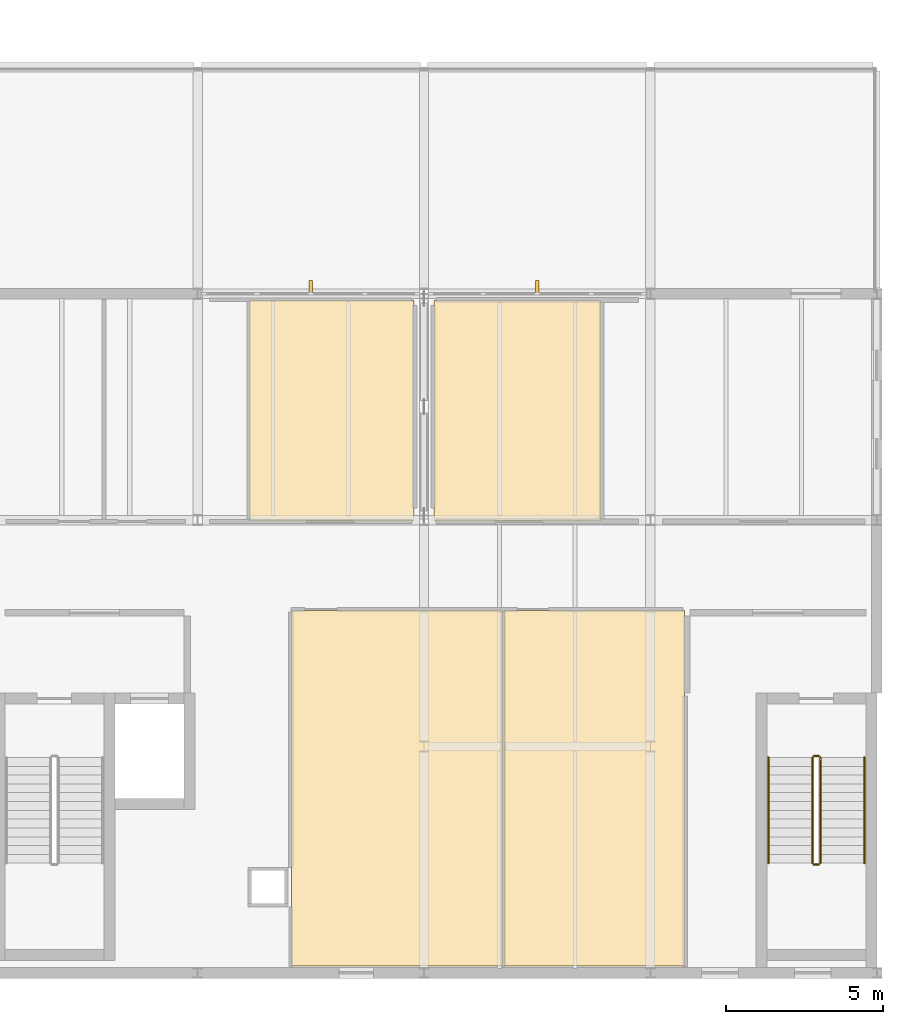
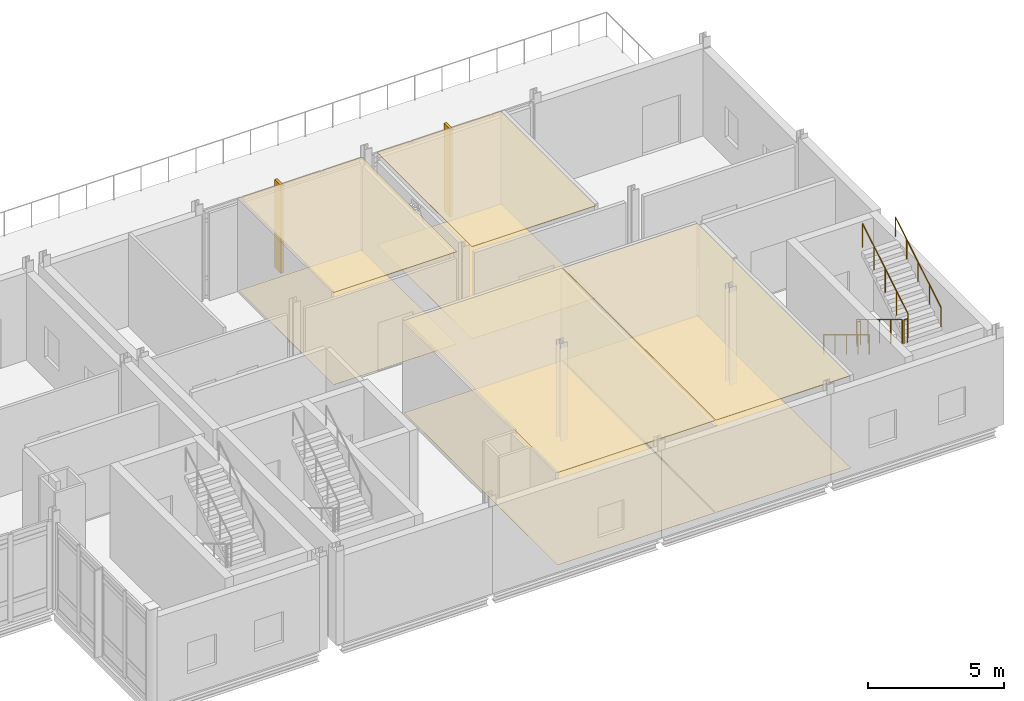
# One storey, part 49 of 53: 8 coverings, 6 railings, 2 shading devices.
"""IFC4 building model written with IfcOpenShell, lengths in metres."""

import ifcopenshell
import ifcopenshell.guid

model = None  # the IFC model being written
_history = None  # IfcOwnerHistory: only IFC2X3 demands one
_inside = {}  # id of a spatial element -> (the spatial element, [elements in it])
_under = {}  # id of a project, library or spatial element -> (it, [spatial elements below it])
_declared = {}  # id of a project -> (the project, [libraries it declares])
_typed = {}  # id of a type object -> (the type object, [elements of that type])
_made_of = {}  # id of a material, layer set ... -> (it, [elements and type objects made of it])


def new_model(schema):
    """Start an empty IFC model of exactly this schema.

    Asked for "IFC4X3", IfcOpenShell would pick the latest addendum, in which some entities
    have other attributes; the version numbers below select the first issue.
    IFC2X3 requires an IfcOwnerHistory on every rooted entity: one is made here for all.
    """
    global model, _history
    if schema == "IFC4X3":
        model = ifcopenshell.file(schema_version=(4, 3, 0, 0))
    else:
        model = ifcopenshell.file(schema=schema)
    _inside.clear()
    _under.clear()
    _declared.clear()
    _typed.clear()
    _made_of.clear()
    _history = None
    if model.schema == "IFC2X3":
        org = make("IfcOrganization", Name="unknown")
        user = make(
            "IfcPersonAndOrganization",
            ThePerson=make("IfcPerson", FamilyName="unknown"),
            TheOrganization=org,
        )
        app = make(
            "IfcApplication",
            ApplicationDeveloper=org,
            Version="unknown",
            ApplicationFullName="unknown",
            ApplicationIdentifier="unknown",
        )
        _history = make(
            "IfcOwnerHistory",
            OwningUser=user,
            OwningApplication=app,
            ChangeAction="ADDED",
            CreationDate=0,
        )
    return model


def make(cls, **values):
    """One entity of the class cls with the attributes given. An attribute that is None is left unset."""
    return model.create_entity(
        cls, **{name: value for name, value in values.items() if value is not None}
    )


def rooted(cls, **values):
    """An entity with a GlobalId (a new one), such as an element, a storey or a relation."""
    return make(cls, GlobalId=ifcopenshell.guid.new(), OwnerHistory=_history, **values)


def si_unit(unit_type, name, prefix=None):
    """IfcSIUnit, for example si_unit("LENGTHUNIT", "METRE", prefix="MILLI")."""
    return make("IfcSIUnit", UnitType=unit_type, Prefix=prefix, Name=name)


def assignment(units):
    """IfcUnitAssignment: the units of a project."""
    return None if units is None else make("IfcUnitAssignment", Units=units)


def point(xyz):
    """IfcCartesianPoint."""
    return None if xyz is None else make("IfcCartesianPoint", Coordinates=xyz)


def direction(xyz):
    """IfcDirection."""
    return None if xyz is None else make("IfcDirection", DirectionRatios=xyz)


def frame(location, z_axis=None, x_axis=None):
    """IfcAxis2Placement3D, a coordinate frame: its origin and axes. An axis left out is left unset."""
    return make(
        "IfcAxis2Placement3D",
        Location=point(location),
        Axis=direction(z_axis),
        RefDirection=direction(x_axis),
    )


def frame_2d(location, x_axis=None):
    """IfcAxis2Placement2D, a coordinate frame in the plane: its origin and x axis."""
    return make(
        "IfcAxis2Placement2D", Location=point(location), RefDirection=direction(x_axis)
    )


def origin():
    """The frame at (0, 0, 0) with its axes left unset."""
    return frame((0.0, 0.0, 0.0))


def origin_2d():
    """The frame at (0, 0) in the plane with its x axis left unset."""
    return frame_2d((0.0, 0.0))


def place(relative_to, where):
    """IfcLocalPlacement: puts the frame where relative to a parent placement (None: the world)."""
    return make(
        "IfcLocalPlacement", PlacementRelTo=relative_to, RelativePlacement=where
    )


def context(
    kind, dimensions, precision=None, world=None, true_north=None, identifier=None
):
    """IfcGeometricRepresentationContext, for example the 3D "Model" context."""
    return make(
        "IfcGeometricRepresentationContext",
        ContextIdentifier=identifier,
        ContextType=kind,
        CoordinateSpaceDimension=dimensions,
        Precision=precision,
        WorldCoordinateSystem=world,
        TrueNorth=true_north,
    )


def subcontext(parent, identifier, kind, view, scale=None):
    """IfcGeometricRepresentationSubContext, for example "Body" below "Model"."""
    return make(
        "IfcGeometricRepresentationSubContext",
        ContextIdentifier=identifier,
        ContextType=kind,
        ParentContext=parent,
        TargetScale=scale,
        TargetView=view,
    )


def project(units=None, contexts=None):
    """IfcProject with its units and contexts."""
    return rooted(
        "IfcProject",
        Name="project",
        RepresentationContexts=contexts,
        UnitsInContext=assignment(units),
    )


def spatial(cls, under=None, at=None, **own):
    """A site, building, storey or space (cls), placed at a placement, below another one or the project."""
    s = rooted(cls, ObjectPlacement=at, **own)
    if under is not None:
        _under.setdefault(under.id(), (under, []))[1].append(s)
    return s


def polyline(points):
    """IfcPolyline through the points."""
    return make("IfcPolyline", Points=[point(p) for p in points])


def profile(cls, at=None, kind="AREA", **sizes):
    """A parametric profile (cls). Its sizes go by their IFC names, for example OverallWidth=200.0."""
    return make(cls, ProfileType=kind, Position=at, **sizes)


def rectangle(**sizes):
    """IfcRectangleProfileDef."""
    return profile("IfcRectangleProfileDef", **sizes)


def circle(**sizes):
    """IfcCircleProfileDef."""
    return profile("IfcCircleProfileDef", **sizes)


def outline(outer, holes=None, kind="AREA"):
    """IfcArbitraryClosedProfileDef: a profile drawn as a closed curve; with holes, ...WithVoids."""
    if holes is None:
        return make("IfcArbitraryClosedProfileDef", ProfileType=kind, OuterCurve=outer)
    return make(
        "IfcArbitraryProfileDefWithVoids",
        ProfileType=kind,
        OuterCurve=outer,
        InnerCurves=holes,
    )


def extrude(swept, where, along, depth):
    """IfcExtrudedAreaSolid: the profile swept, set in the frame where, extruded along a direction by depth."""
    return make(
        "IfcExtrudedAreaSolid",
        SweptArea=swept,
        Position=where,
        ExtrudedDirection=direction(along),
        Depth=depth,
    )


def shape(context_of_items, identifier, shape_type, items):
    """IfcShapeRepresentation: the items that make up one representation, for example the "Body"."""
    return make(
        "IfcShapeRepresentation",
        ContextOfItems=context_of_items,
        RepresentationIdentifier=identifier,
        RepresentationType=shape_type,
        Items=items,
    )


def material(Name=None, Category=None):
    """IfcMaterial."""
    return make("IfcMaterial", Name=Name, Category=Category)


def layer(
    of_material, thickness, ventilated=None, Name=None, Category=None, Priority=None
):
    """IfcMaterialLayer: one layer of a wall or slab, of a material (None: an air gap)."""
    return make(
        "IfcMaterialLayer",
        Material=of_material,
        LayerThickness=thickness,
        IsVentilated=ventilated,
        Name=Name,
        Category=Category,
        Priority=Priority,
    )


def layer_set(layers, Name=None):
    """IfcMaterialLayerSet."""
    return make("IfcMaterialLayerSet", MaterialLayers=layers, LayerSetName=Name)


def made_of(thing, what):
    """Note that an element or type object is made of a material, layer set ...; save() writes the relation."""
    if what is not None:
        _made_of.setdefault(what.id(), (what, []))[1].append(thing)
    return thing


def type_object(cls, material=None, **own):
    """A type object (cls), such as IfcWallType, which elements share."""
    return made_of(rooted(cls, **own), material)


def element(
    cls,
    number,
    at=None,
    inside=None,
    cuts=None,
    type_object=None,
    material=None,
    context=None,
    identifier="Body",
    shape_type=None,
    held_by="IfcProductDefinitionShape",
    body=None,
    shapes=None,
    **own,
):
    """One element of the class cls, such as IfcWall. Its Tag is "e" and its number.

    at: its placement. inside: the storey or other place that contains it. cuts: it is an
    opening in that element (IfcRelVoidsElement). A single representation is given by context,
    identifier, shape_type and body (its items); several are given by shapes. held_by: the class
    of the entity that holds the representations. save() writes the other relations.
    """
    e = rooted(cls, Tag="e%d" % number, ObjectPlacement=at, **own)
    if body is not None:
        shapes = [shape(context, identifier, shape_type, body)]
    if shapes is not None:
        e.Representation = make(held_by, Representations=shapes)
    if inside is not None:
        _inside.setdefault(inside.id(), (inside, []))[1].append(e)
    if cuts is not None:
        rooted(
            "IfcRelVoidsElement", RelatingBuildingElement=cuts, RelatedOpeningElement=e
        )
    if type_object is not None:
        _typed.setdefault(type_object.id(), (type_object, []))[1].append(e)
    return made_of(e, material)


def aggregate(whole, parts):
    """IfcRelAggregates: a whole, such as a stair, and the parts it consists of."""
    return rooted("IfcRelAggregates", RelatingObject=whole, RelatedObjects=parts)


def save(model, path):
    """Write the relations noted so far, then the file.

    IfcRelAggregates (storeys below a building ...), IfcRelContainedInSpatialStructure (elements
    in a storey), IfcRelDefinesByType, IfcRelAssociatesMaterial and IfcRelDeclares: one each for
    every whole, place, type object, material and project.
    """
    for whole, parts in _under.values():
        aggregate(whole, parts)
    for where, things in _inside.values():
        rooted(
            "IfcRelContainedInSpatialStructure",
            RelatedElements=things,
            RelatingStructure=where,
        )
    for kind, things in _typed.values():
        rooted("IfcRelDefinesByType", RelatedObjects=things, RelatingType=kind)
    for what, things in _made_of.values():
        rooted("IfcRelAssociatesMaterial", RelatedObjects=things, RelatingMaterial=what)
    for by, libraries in _declared.values():
        rooted("IfcRelDeclares", RelatingContext=by, RelatedDefinitions=libraries)
    model.write(path)


model = new_model("IFC4")

# Units and contexts
model_context = context("Model", 3, precision=1e-05, world=origin(), true_north=direction((0.0, 1.0)))
body_context = subcontext(model_context, "Body", "Model", "MODEL_VIEW")
ifc_project = project(units=[si_unit("LENGTHUNIT", "METRE"), si_unit("AREAUNIT", "SQUARE_METRE"), si_unit("VOLUMEUNIT", "CUBIC_METRE"), si_unit("PLANEANGLEUNIT", "RADIAN"), si_unit("MASSUNIT", "GRAM", prefix="KILO")], contexts=[model_context])

# Site, building, storey
site_placement = place(None, origin())
site = spatial("IfcSite", under=ifc_project, at=site_placement, CompositionType="ELEMENT")
building_placement = place(site_placement, origin())
building = spatial("IfcBuilding", under=site, at=building_placement, Name="Zarrinpeak Specialist Clinic", CompositionType="ELEMENT")
storey_placement = place(building_placement, frame((0.0, 0.0, 14.0)))
storey = spatial("IfcBuildingStorey", under=building, at=storey_placement, Name="L03", CompositionType="ELEMENT", Elevation=14.0)

# Coverings
ifc_material_1 = material(Name="Hygienic Acoustic Mineral Fibre Tile")
ifc_layer_1 = layer(ifc_material_1, 0.02490234375)
ifc_layer_set_1 = layer_set([ifc_layer_1], Name="Hygienic Acoustic Mineral Fibre Tile")
covering_type_1 = type_object("IfcCoveringType", Name="CV-CEIL-AC", PredefinedType="CEILING", material=ifc_layer_set_1)
covering_1_placement = place(storey_placement, frame((0.0, 0.0, 4.14501953125)))
element("IfcCovering", 1, at=covering_1_placement, inside=storey, type_object=covering_type_1, Name="L03 Interventional Bronchoscopy Suite Hygienic Acoustic Ceiling", PredefinedType="CEILING", context=body_context, shape_type="SweptSolid", body=[
    extrude(outline(polyline([(66.43994140625, 14.3701171875), (71.679931640625, 14.3701171875), (71.679931640625, 21.3798828125), (66.43994140625, 21.3798828125), (66.43994140625, 14.3701171875)])), origin(), (0.0, 0.0, 1.0), 0.02490234375),
])
covering_2_placement = place(storey_placement, frame((0.0, 0.0, 4.14501953125)))
element("IfcCovering", 2, at=covering_2_placement, inside=storey, type_object=covering_type_1, Name="L03 Urodynamics and Lithotripsy Suite Hygienic Acoustic Ceiling", PredefinedType="CEILING", context=body_context, shape_type="SweptSolid", body=[
    extrude(outline(polyline([(72.320068359375, 14.3701171875), (77.6298828125, 14.3701171875), (77.6298828125, 21.3798828125), (72.320068359375, 21.3798828125), (72.320068359375, 14.3701171875)])), origin(), (0.0, 0.0, 1.0), 0.02490234375),
])
covering_3_placement = place(storey_placement, frame((0.0, 0.0, 4.14501953125)))
element("IfcCovering", 3, at=covering_3_placement, inside=storey, type_object=covering_type_1, Name="L03 Specialist Consultation Room 1 Hygienic Acoustic Ceiling", PredefinedType="CEILING", context=body_context, shape_type="SweptSolid", body=[
    extrude(outline(polyline([(74.5400390625, 0.219970703125), (80.280029296875, 0.219970703125), (80.280029296875, 11.530029296875), (74.5400390625, 11.530029296875), (74.5400390625, 0.219970703125)])), origin(), (0.0, 0.0, 1.0), 0.02490234375),
])
covering_4_placement = place(storey_placement, frame((0.0, 0.0, 4.14501953125)))
element("IfcCovering", 4, at=covering_4_placement, inside=storey, type_object=covering_type_1, Name="L03 Specialist Consultation Room 2 Hygienic Acoustic Ceiling", PredefinedType="CEILING", context=body_context, shape_type="SweptSolid", body=[
    extrude(outline(polyline([(67.7900390625, 0.219970703125), (74.5, 0.219970703125), (74.5, 11.530029296875), (67.7900390625, 11.530029296875), (67.7900390625, 0.219970703125)])), origin(), (0.0, 0.0, 1.0), 0.02490234375),
])
ifc_material_2 = material(Name="Homogeneous Antimicrobial Clinical Vinyl")
ifc_layer_2 = layer(ifc_material_2, 0.008056640625)
ifc_layer_set_2 = layer_set([ifc_layer_2], Name="Homogeneous Antimicrobial Clinical Vinyl")
covering_type_2 = type_object("IfcCoveringType", Name="CV-FLR-VN", PredefinedType="FLOORING", material=ifc_layer_set_2)
covering_5_placement = place(storey_placement, frame((0.0, 0.0, 0.0009765625)))
element("IfcCovering", 5, at=covering_5_placement, inside=storey, type_object=covering_type_2, Name="L03 Interventional Bronchoscopy Suite Antimicrobial Vinyl Flooring", PredefinedType="FLOORING", context=body_context, shape_type="SweptSolid", body=[
    extrude(outline(polyline([(66.43994140625, 14.3701171875), (71.679931640625, 14.3701171875), (71.679931640625, 21.3798828125), (66.43994140625, 21.3798828125), (66.43994140625, 14.3701171875)])), origin(), (0.0, 0.0, 1.0), 0.008056640625),
])
covering_6_placement = place(storey_placement, frame((0.0, 0.0, 0.0009765625)))
element("IfcCovering", 6, at=covering_6_placement, inside=storey, type_object=covering_type_2, Name="L03 Urodynamics and Lithotripsy Suite Antimicrobial Vinyl Flooring", PredefinedType="FLOORING", context=body_context, shape_type="SweptSolid", body=[
    extrude(outline(polyline([(72.320068359375, 14.3701171875), (77.6298828125, 14.3701171875), (77.6298828125, 21.3798828125), (72.320068359375, 21.3798828125), (72.320068359375, 14.3701171875)])), origin(), (0.0, 0.0, 1.0), 0.008056640625),
])
covering_7_placement = place(storey_placement, frame((0.0, 0.0, 0.0009765625)))
element("IfcCovering", 7, at=covering_7_placement, inside=storey, type_object=covering_type_2, Name="L03 Specialist Consultation Room 1 Antimicrobial Vinyl Flooring", PredefinedType="FLOORING", context=body_context, shape_type="SweptSolid", body=[
    extrude(outline(polyline([(74.5400390625, 0.219970703125), (80.280029296875, 0.219970703125), (80.280029296875, 11.530029296875), (74.5400390625, 11.530029296875), (74.5400390625, 0.219970703125)])), origin(), (0.0, 0.0, 1.0), 0.008056640625),
])
covering_8_placement = place(storey_placement, frame((0.0, 0.0, 0.0009765625)))
element("IfcCovering", 8, at=covering_8_placement, inside=storey, type_object=covering_type_2, Name="L03 Specialist Consultation Room 2 Antimicrobial Vinyl Flooring", PredefinedType="FLOORING", context=body_context, shape_type="SweptSolid", body=[
    extrude(outline(polyline([(67.7900390625, 0.219970703125), (74.5, 0.219970703125), (74.5, 11.530029296875), (67.7900390625, 11.530029296875), (67.7900390625, 0.219970703125)])), origin(), (0.0, 0.0, 1.0), 0.008056640625),
])

# Railings
ifc_material_3 = material(Name="Laminated Safety Glass and Stainless Steel 316", Category="steel")
ifc_layer_3 = layer(ifc_material_3, 0.06005859375)
ifc_layer_set_3 = layer_set([ifc_layer_3], Name="Laminated Safety Glass and Stainless Steel 316")
railing_type_1 = type_object("IfcRailingType", Name="RL-GRD115", PredefinedType="GUARDRAIL", material=ifc_layer_set_3)
railing_1_placement = place(storey_placement, frame((84.35009765625, 6.85009765625, 0.169189453125)))
element("IfcRailing", 9, at=railing_1_placement, inside=storey, type_object=railing_type_1, Name="L03 ST-08 stair guard 1", PredefinedType="GUARDRAIL", context=body_context, shape_type="SweptSolid", body=[
    extrude(circle(Radius=0.02392578125, at=origin_2d()), frame((0.0, 0.0, 1.076171875), z_axis=(0.0, -0.855836976705, 0.517245656632), x_axis=(1.0, 0.0, 0.0)), (0.0, 0.0, 1.0), 3.926025390625),
    extrude(circle(Radius=0.02099609375, at=origin_2d()), origin(), (0.0, 0.0, 1.0), 1.052001953125),
    extrude(circle(Radius=0.02099609375, at=origin_2d()), frame((0.0, -0.840087890625, 0.5078125)), (0.0, 0.0, 1.0), 1.052001953125),
    extrude(circle(Radius=0.02099609375, at=origin_2d()), frame((0.0, -1.68017578125, 1.015380859375)), (0.0, 0.0, 1.0), 1.052001953125),
    extrude(circle(Radius=0.02099609375, at=origin_2d()), frame((0.0, -2.52001953125, 1.52294921875)), (0.0, 0.0, 1.0), 1.052001953125),
    extrude(circle(Radius=0.02099609375, at=origin_2d()), frame((0.0, -3.360107421875, 2.03076171875)), (0.0, 0.0, 1.0), 1.052001953125),
])
railing_2_placement = place(storey_placement, frame((84.39990234375, 3.43994140625, 2.199951171875)))
element("IfcRailing", 10, at=railing_2_placement, inside=storey, type_object=railing_type_1, Name="L03 ST-08 stair guard 2", PredefinedType="GUARDRAIL", context=body_context, shape_type="SweptSolid", body=[
    extrude(circle(Radius=0.02392578125, at=origin_2d()), frame((0.0, 0.0, 1.076171875), z_axis=(1.0, 0.0, 0.0), x_axis=(0.0, 1.0, 0.0)), (0.0, 0.0, 1.0), 0.150146484375),
    extrude(circle(Radius=0.02099609375, at=origin_2d()), origin(), (0.0, 0.0, 1.0), 1.052001953125),
    extrude(circle(Radius=0.02099609375, at=origin_2d()), frame((0.150146484375, 0.0, 0.0)), (0.0, 0.0, 1.0), 1.052001953125),
])
railing_3_placement = place(storey_placement, frame((84.60009765625, 3.489990234375, 2.369140625)))
element("IfcRailing", 11, at=railing_3_placement, inside=storey, type_object=railing_type_1, Name="L03 ST-08 stair guard 3", PredefinedType="GUARDRAIL", context=body_context, shape_type="SweptSolid", body=[
    extrude(circle(Radius=0.02392578125, at=origin_2d()), frame((0.0, 0.0, 1.076171875), z_axis=(0.0, 0.855836976705, 0.517245656632), x_axis=(-1.0, 0.0, 0.0)), (0.0, 0.0, 1.0), 3.926025390625),
    extrude(circle(Radius=0.02099609375, at=origin_2d()), origin(), (0.0, 0.0, 1.0), 1.052001953125),
    extrude(circle(Radius=0.02099609375, at=origin_2d()), frame((0.0, 0.840087890625, 0.5078125)), (0.0, 0.0, 1.0), 1.052001953125),
    extrude(circle(Radius=0.02099609375, at=origin_2d()), frame((0.0, 1.68017578125, 1.015380859375)), (0.0, 0.0, 1.0), 1.052001953125),
    extrude(circle(Radius=0.02099609375, at=origin_2d()), frame((0.0, 2.52001953125, 1.52294921875)), (0.0, 0.0, 1.0), 1.052001953125),
    extrude(circle(Radius=0.02099609375, at=origin_2d()), frame((0.0, 3.360107421875, 2.03076171875)), (0.0, 0.0, 1.0), 1.052001953125),
])
railing_4_placement = place(storey_placement, frame((84.39990234375, 6.89990234375, 0.0)))
element("IfcRailing", 12, at=railing_4_placement, inside=storey, type_object=railing_type_1, Name="L03 ST-08 stair guard 4", PredefinedType="GUARDRAIL", context=body_context, shape_type="SweptSolid", body=[
    extrude(circle(Radius=0.02392578125, at=origin_2d()), frame((0.0, 0.0, 1.076171875), z_axis=(1.0, 0.0, 0.0), x_axis=(0.0, 1.0, 0.0)), (0.0, 0.0, 1.0), 0.150146484375),
    extrude(circle(Radius=0.02099609375, at=origin_2d()), origin(), (0.0, 0.0, 1.0), 1.052001953125),
    extrude(circle(Radius=0.02099609375, at=origin_2d()), frame((0.150146484375, 0.0, 0.0)), (0.0, 0.0, 1.0), 1.052001953125),
])
ifc_material_4 = material(Name="Brushed Stainless Steel 316 Handrail", Category="steel")
ifc_layer_4 = layer(ifc_material_4, 0.050048828125)
ifc_layer_set_4 = layer_set([ifc_layer_4], Name="Brushed Stainless Steel 316 Handrail")
railing_type_2 = type_object("IfcRailingType", Name="RL-HND92", PredefinedType="HANDRAIL", material=ifc_layer_set_4)
railing_5_placement = place(storey_placement, frame((82.949951171875, 6.85009765625, 0.169189453125)))
element("IfcRailing", 13, at=railing_5_placement, inside=storey, type_object=railing_type_2, Name="L03 ST-08 stair handrail 1", PredefinedType="HANDRAIL", context=body_context, shape_type="SweptSolid", body=[
    extrude(circle(Radius=0.02392578125, at=origin_2d()), frame((0.0, 0.0, 0.8759765625), z_axis=(0.0, -0.855836976705, 0.517245656632), x_axis=(1.0, 0.0, 0.0)), (0.0, 0.0, 1.0), 3.926025390625),
    extrude(circle(Radius=0.02099609375, at=origin_2d()), origin(), (0.0, 0.0, 1.0), 0.851806640625),
    extrude(circle(Radius=0.02099609375, at=origin_2d()), frame((0.0, -0.840087890625, 0.5078125)), (0.0, 0.0, 1.0), 0.851806640625),
    extrude(circle(Radius=0.02099609375, at=origin_2d()), frame((0.0, -1.68017578125, 1.015380859375)), (0.0, 0.0, 1.0), 0.851806640625),
    extrude(circle(Radius=0.02099609375, at=origin_2d()), frame((0.0, -2.52001953125, 1.52294921875)), (0.0, 0.0, 1.0), 0.851806640625),
    extrude(circle(Radius=0.02099609375, at=origin_2d()), frame((0.0, -3.360107421875, 2.03076171875)), (0.0, 0.0, 1.0), 0.851806640625),
])
railing_6_placement = place(storey_placement, frame((86.0, 3.489990234375, 2.369140625)))
element("IfcRailing", 14, at=railing_6_placement, inside=storey, type_object=railing_type_2, Name="L03 ST-08 stair handrail 2", PredefinedType="HANDRAIL", context=body_context, shape_type="SweptSolid", body=[
    extrude(circle(Radius=0.02392578125, at=origin_2d()), frame((0.0, 0.0, 0.8759765625), z_axis=(0.0, 0.855836976705, 0.517245656632), x_axis=(-1.0, 0.0, 0.0)), (0.0, 0.0, 1.0), 3.926025390625),
    extrude(circle(Radius=0.02099609375, at=origin_2d()), origin(), (0.0, 0.0, 1.0), 0.851806640625),
    extrude(circle(Radius=0.02099609375, at=origin_2d()), frame((0.0, 0.840087890625, 0.5078125)), (0.0, 0.0, 1.0), 0.851806640625),
    extrude(circle(Radius=0.02099609375, at=origin_2d()), frame((0.0, 1.68017578125, 1.015380859375)), (0.0, 0.0, 1.0), 0.851806640625),
    extrude(circle(Radius=0.02099609375, at=origin_2d()), frame((0.0, 2.52001953125, 1.52294921875)), (0.0, 0.0, 1.0), 0.851806640625),
    extrude(circle(Radius=0.02099609375, at=origin_2d()), frame((0.0, 3.360107421875, 2.03076171875)), (0.0, 0.0, 1.0), 0.851806640625),
])

# Shading devices
ifc_material_5 = material(Name="Glulam GL28h", Category="wood")
shading_device_type = type_object("IfcShadingDeviceType", Name="SHD-FIN-GL", PredefinedType="USERDEFINED", material=ifc_material_5)
for number, where, z_axis, x_axis, name in (
    (15, (68.39990234375, 21.800048828125, -0.01513671875), (0.0, 0.0, 1.0), (1.0, 0.0, 0.0), "L03 V4 Cedar-Glulam Courtyard Fin FIN-052"),
    (16, (75.60009765625, 21.800048828125, -0.01513671875), (0.0, 0.0, 1.0), (1.0, 0.0, 0.0), "L03 V4 Cedar-Glulam Courtyard Fin FIN-053"),
):
    element("IfcShadingDevice", number, at=place(storey_placement, frame(where, z_axis=z_axis, x_axis=x_axis)), inside=storey, type_object=shading_device_type, Name=name, ObjectType="SUNSHADE", PredefinedType="USERDEFINED", context=body_context, shape_type="SweptSolid", body=[
        extrude(rectangle(XDim=0.110107421875, YDim=0.449951171875, at=origin_2d()), origin(), (0.0, 0.0, 1.0), 3.965087890625),
    ])

save(model, "model.ifc")
